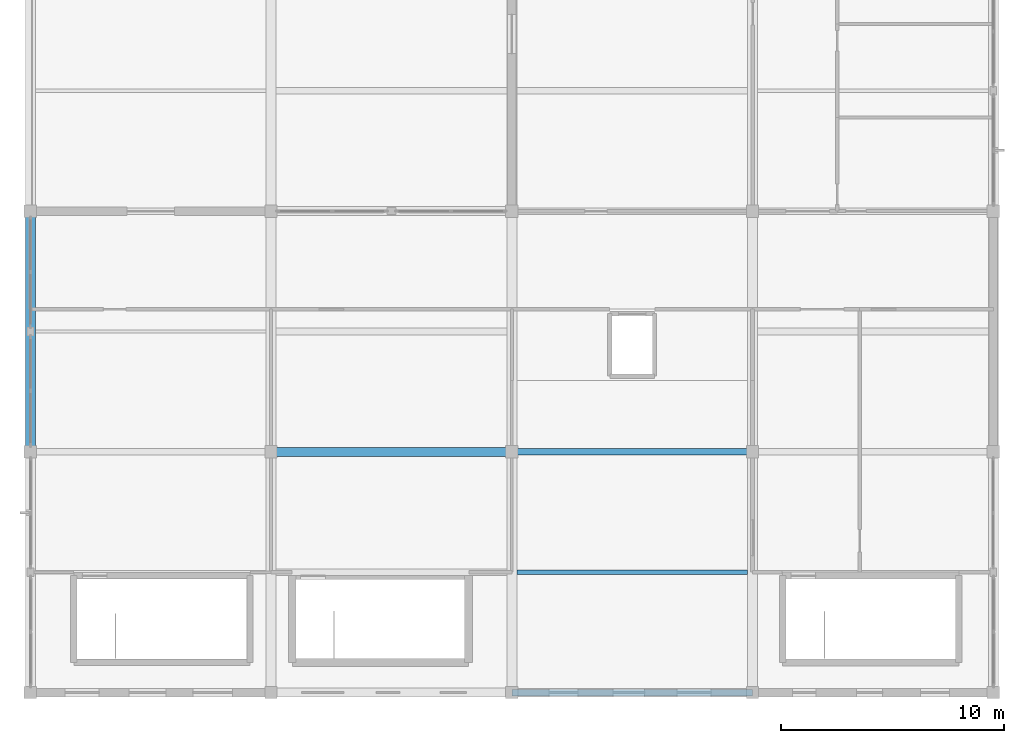
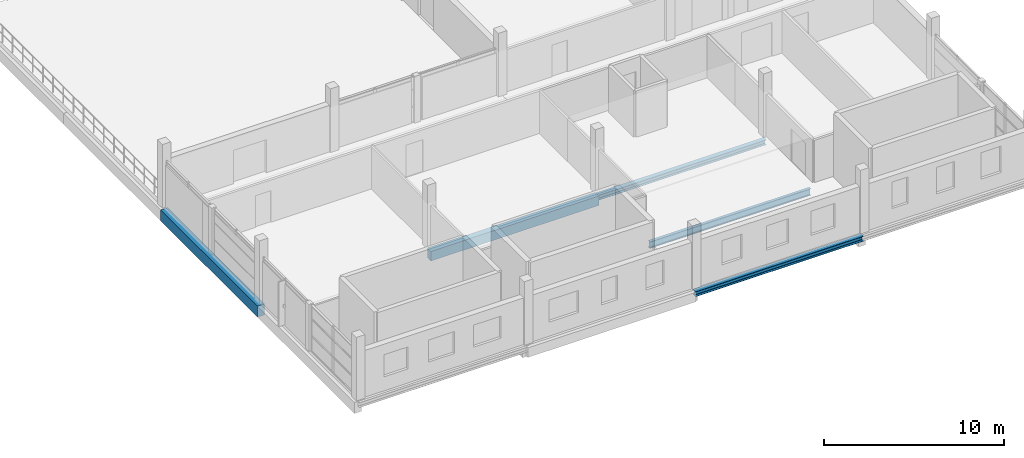
# One storey, part 3 of 15: 5 beams.
"""IFC4 building model written with IfcOpenShell, lengths in metres."""

from ifc_helpers import new_model, si_unit, direction, frame, origin, origin_2d, place, context, subcontext, project, spatial, rectangle, i_section, extrude, material, material_profile, profile_set, type_object, element, save


model = new_model("IFC4")

# Units and contexts
model_context = context("Model", 3, precision=1e-05, world=origin(), true_north=direction((0.0, 1.0)))
body_context = subcontext(model_context, "Body", "Model", "MODEL_VIEW")
ifc_project = project(units=[si_unit("LENGTHUNIT", "METRE"), si_unit("AREAUNIT", "SQUARE_METRE"), si_unit("VOLUMEUNIT", "CUBIC_METRE"), si_unit("PLANEANGLEUNIT", "RADIAN"), si_unit("MASSUNIT", "GRAM", prefix="KILO")], contexts=[model_context])

# Site, building, storey
site_placement = place(None, origin())
site = spatial("IfcSite", under=ifc_project, at=site_placement, CompositionType="ELEMENT")
building_placement = place(site_placement, origin())
building = spatial("IfcBuilding", under=site, at=building_placement, Name="Zwinboog Wholesale Market", CompositionType="ELEMENT")
storey_placement = place(building_placement, frame((0.0, 0.0, 14.760009765625)))
storey = spatial("IfcBuildingStorey", under=building, at=storey_placement, Name="L03", CompositionType="ELEMENT", Elevation=14.760009765625)

# Beams
ifc_material_1 = material(Name="Precast concrete C45/55", Category="concrete")
ifc_material_profile_1 = material_profile(ifc_material_1, rectangle(XDim=0.449951171875, YDim=0.75, at=origin_2d()), Name="PC 450x750")
ifc_profile_set_1 = profile_set([ifc_material_profile_1], Name="Precast concrete C45/55")
beam_type_1 = type_object("IfcBeamType", Name="BT-04", PredefinedType="BEAM", material=ifc_profile_set_1)
beam_1_placement = place(storey_placement, frame((129.60009765625, 10.800048828125, -0.6669921875), z_axis=(0.0, 1.0, 0.0), x_axis=(-1.0, 0.0, 0.0)))
element("IfcBeam", 1, at=beam_1_placement, inside=storey, type_object=beam_type_1, Name="BG-04 (BMG-L03-1296-0108-1026)", PredefinedType="BEAM", context=body_context, shape_type="SweptSolid", body=[
    extrude(rectangle(XDim=0.449951171875, YDim=0.75, at=origin_2d()), origin(), (0.0, 0.0, 1.0), 10.800048828125),
])
ifc_material_profile_2 = material_profile(ifc_material_1, rectangle(XDim=0.39990234375, YDim=0.64990234375, at=origin_2d()), Name="PC 400x650")
ifc_profile_set_2 = profile_set([ifc_material_profile_2], Name="Precast concrete C45/55")
beam_type_2 = type_object("IfcBeamType", Name="BT-05", PredefinedType="BEAM", material=ifc_profile_set_2)
beam_2_placement = place(storey_placement, frame((140.39990234375, 10.800048828125, -0.64306640625), z_axis=(1.0, 0.0, 0.0), x_axis=(0.0, 1.0, 0.0)))
element("IfcBeam", 2, at=beam_2_placement, inside=storey, type_object=beam_type_2, Name="BG-05 (BMG-L03-1404-0108-1014)", PredefinedType="BEAM", context=body_context, shape_type="SweptSolid", body=[
    extrude(rectangle(XDim=0.39990234375, YDim=0.64990234375, at=origin_2d()), origin(), (0.0, 0.0, 1.0), 10.800048828125),
])
ifc_material_2 = material(Name="Steel S355", Category="steel")
ifc_material_profile_3 = material_profile(ifc_material_2, i_section(OverallWidth=0.300048828125, OverallDepth=0.340087890625, WebThickness=0.011962890625, FlangeThickness=0.021484375, FilletRadius=0.027099609375, at=origin_2d()), Name="HEB 340")
ifc_profile_set_3 = profile_set([ifc_material_profile_3], Name="Steel S355")
beam_type_3 = type_object("IfcBeamType", Name="BT-16", PredefinedType="BEAM", material=ifc_profile_set_3)
for number, where, z_axis, x_axis, name in (
    (3, (151.199951171875, 0.0, -0.488037109375), (1.0, 0.0, 0.0), (0.0, 1.0, 0.0), "SB-03 (BMG-L03-1512-0000-1011)"),
    (4, (151.199951171875, 10.800048828125, -0.488037109375), (1.0, 0.0, 0.0), (0.0, 1.0, 0.0), "SB-03 (BMG-L03-1512-0108-1015)"),
):
    element("IfcBeam", number, at=place(storey_placement, frame(where, z_axis=z_axis, x_axis=x_axis)), inside=storey, type_object=beam_type_3, Name=name, PredefinedType="BEAM", context=body_context, shape_type="SweptSolid", body=[
        extrude(i_section(OverallWidth=0.300048828125, OverallDepth=0.340087890625, WebThickness=0.011962890625, FlangeThickness=0.021484375, FilletRadius=0.027099609375, at=origin_2d()), origin(), (0.0, 0.0, 1.0), 10.800048828125),
    ])
ifc_material_profile_4 = material_profile(ifc_material_2, i_section(OverallWidth=0.18994140625, OverallDepth=0.449951171875, WebThickness=0.009521484375, FlangeThickness=0.0146484375, FilletRadius=0.02099609375, at=origin_2d()), Name="IPE 450")
ifc_profile_set_4 = profile_set([ifc_material_profile_4], Name="Steel S355")
beam_type_4 = type_object("IfcBeamType", Name="BT-19", PredefinedType="JOIST", material=ifc_profile_set_4)
beam_3_placement = place(storey_placement, frame((151.425048828125, 5.39990234375, -0.54296875), z_axis=(1.0, 0.0, 0.0), x_axis=(0.0, 1.0, 0.0)))
element("IfcBeam", 5, at=beam_3_placement, inside=storey, type_object=beam_type_4, Name="SJ-02 (BMG-L03-1514-0054-1045)", PredefinedType="JOIST", context=body_context, shape_type="SweptSolid", body=[
    extrude(i_section(OverallWidth=0.18994140625, OverallDepth=0.449951171875, WebThickness=0.009521484375, FlangeThickness=0.0146484375, FilletRadius=0.02099609375, at=origin_2d()), origin(), (0.0, 0.0, 1.0), 10.349853515625),
])

save(model, "model.ifc")
